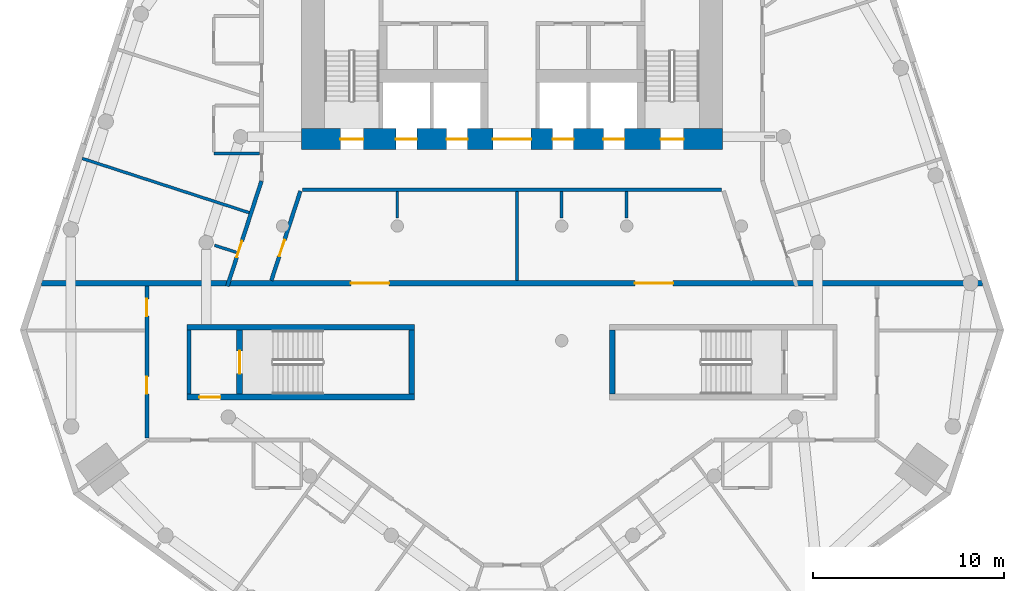
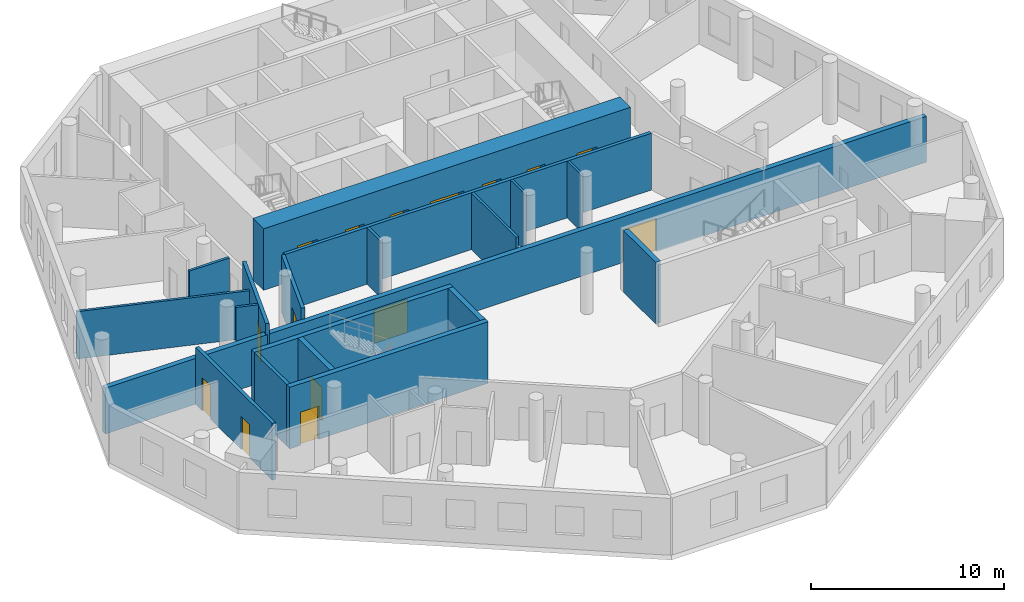
# One storey, part 3 of 9: 19 walls, 15 doors, 15 openings.
"""IFC4 building model written with IfcOpenShell, lengths in metres."""

from ifc_helpers import new_model, si_unit, direction, frame, frame_2d, origin, place, context, subcontext, project, spatial, rectangle, extrude, material, layer, layer_set, type_object, element, fill, save


model = new_model("IFC4")

# Units and contexts
model_context = context("Model", 3, precision=1e-05, world=origin(), true_north=direction((0.0, 1.0)))
body_context = subcontext(model_context, "Body", "Model", "MODEL_VIEW")
ifc_project = project(units=[si_unit("LENGTHUNIT", "METRE"), si_unit("AREAUNIT", "SQUARE_METRE"), si_unit("VOLUMEUNIT", "CUBIC_METRE"), si_unit("PLANEANGLEUNIT", "RADIAN"), si_unit("MASSUNIT", "GRAM", prefix="KILO")], contexts=[model_context])

# Site, building, storey
site_placement = place(None, origin())
site = spatial("IfcSite", under=ifc_project, at=site_placement, CompositionType="ELEMENT")
building_placement = place(site_placement, origin())
building = spatial("IfcBuilding", under=site, at=building_placement, Name="White Candle Pilgrim Tower", CompositionType="ELEMENT")
storey_placement = place(building_placement, frame((0.0, 0.0, 122.0)))
storey = spatial("IfcBuildingStorey", under=building, at=storey_placement, Name="L27", CompositionType="ELEMENT", Elevation=122.0)

# Wall
ifc_material_1 = material(Name="Concrete C60/75", Category="concrete")
ifc_layer_1 = layer(ifc_material_1, 0.199951171875)
ifc_layer_set_1 = layer_set([ifc_layer_1], Name="Core wall 200 mm Concrete C60/75")
wall_type_1 = type_object("IfcWallType", Name="Core wall 200 mm Concrete C60/75", PredefinedType="SHEAR", material=ifc_layer_set_1)
wall_1_placement = place(storey_placement, frame((53.10009765625, 58.199951171875, 0.0), z_axis=(0.0, 0.0, 1.0), x_axis=(0.0, 1.0, 0.0)))
element("IfcWall", 1, at=wall_1_placement, inside=storey, type_object=wall_type_1, Name="WL-L27-C03", PredefinedType="SHEAR", context=body_context, shape_type="SweptSolid", body=[
    extrude(rectangle(XDim=3.35009765625, YDim=0.199951171875, at=frame_2d((1.675048828125, 0.0))), origin(), (0.0, 0.0, 1.0), 3.89990234375),
])

# Wall, opening, door
ifc_material_2 = material(Name="Gypsum board on steel studs", Category="steel")
ifc_layer_2 = layer(ifc_material_2, 0.199951171875)
ifc_layer_set_2 = layer_set([ifc_layer_2], Name="Corridor wall 200 mm EI 45")
wall_type_2 = type_object("IfcWallType", Name="Corridor wall 200 mm EI 45", PredefinedType="PARTITIONING", material=ifc_layer_set_2)
wall_2_placement = place(storey_placement, frame((55.106689453125, 63.85009765625, 0.0), z_axis=(0.0, 0.0, 1.0), x_axis=(0.309017390004, 0.951056387747, 0.0)))
wall_2 = element("IfcWall", 2, at=wall_2_placement, inside=storey, type_object=wall_type_2, Name="WL-L27-P002", PredefinedType="PARTITIONING", context=body_context, shape_type="SweptSolid", body=[
    extrude(rectangle(XDim=5.787109375, YDim=0.199951171875, at=frame_2d((2.8935546875, 0.0))), origin(), (0.0, 0.0, 1.0), 3.60009765625),
])
opening_1_placement = place(wall_2_placement, frame((1.59619140625, 0.0, 0.0)))
opening_1 = element("IfcOpeningElement", 3, at=opening_1_placement, cuts=wall_2, Name="Opening T08-119", PredefinedType="OPENING", context=body_context, shape_type="SweptSolid", body=[
    extrude(rectangle(XDim=0.89990234375, YDim=2.10009765625, at=frame_2d((0.449951171875, 1.050048828125))), frame((0.0, 0.10986328125, 0.0), z_axis=(0.0, -1.0, 0.0), x_axis=(1.0, 0.0, 0.0)), (0.0, 0.0, 1.0), 0.219970703125),
])
ifc_material_3 = material(Name="Steel door leaf", Category="steel")
door_type_1 = type_object("IfcDoorType", Name="Fire door 900 x 2100 EI 30", OperationType="NOTDEFINED", PredefinedType="DOOR", material=ifc_material_3)
door_1_placement = place(opening_1_placement, origin())
door_1 = element("IfcDoor", 4, at=door_1_placement, inside=storey, type_object=door_type_1, Name="Door T08-119", OperationType="SINGLE_SWING_LEFT", OverallHeight=2.10009765625, OverallWidth=0.89990234375, PredefinedType="DOOR", context=body_context, shape_type="SweptSolid", body=[
    extrude(rectangle(XDim=0.89990234375, YDim=2.10009765625, at=frame_2d((0.449951171875, 1.050048828125))), frame((0.0, 0.02490234375, 0.0), z_axis=(0.0, -1.0, 0.0), x_axis=(1.0, 0.0, 0.0)), (0.0, 0.0, 1.0), 0.050048828125),
])
fill(opening_1, door_1)

# Wall, openings, doors
wall_3_placement = place(storey_placement, frame((50.89990234375, 55.89990234375, 0.0), z_axis=(0.0, 0.0, 1.0), x_axis=(0.0, 1.0, 0.0)))
wall_3 = element("IfcWall", 5, at=wall_3_placement, inside=storey, type_object=wall_type_2, Name="WL-L27-P012", PredefinedType="PARTITIONING", context=body_context, shape_type="SweptSolid", body=[
    extrude(rectangle(XDim=7.9501953125, YDim=0.199951171875, at=frame_2d((3.97509765625, 0.0))), origin(), (0.0, 0.0, 1.0), 3.60009765625),
])
opening_2_placement = place(wall_3_placement, frame((2.321533203125, 0.0, 0.0)))
opening_2 = element("IfcOpeningElement", 6, at=opening_2_placement, cuts=wall_3, Name="Opening T08-103", PredefinedType="OPENING", context=body_context, shape_type="SweptSolid", body=[
    extrude(rectangle(XDim=0.89990234375, YDim=2.10009765625, at=frame_2d((0.449951171875, 1.050048828125))), frame((0.0, 0.10986328125, 0.0), z_axis=(0.0, -1.0, 0.0), x_axis=(1.0, 0.0, 0.0)), (0.0, 0.0, 1.0), 0.219970703125),
])
opening_3_placement = place(wall_3_placement, frame((6.384033203125, 0.0, 0.0)))
opening_3 = element("IfcOpeningElement", 7, at=opening_3_placement, cuts=wall_3, Name="Opening T08-118", PredefinedType="OPENING", context=body_context, shape_type="SweptSolid", body=[
    extrude(rectangle(XDim=0.89990234375, YDim=2.10009765625, at=frame_2d((0.449951171875, 1.050048828125))), frame((0.0, 0.10986328125, 0.0), z_axis=(0.0, -1.0, 0.0), x_axis=(1.0, 0.0, 0.0)), (0.0, 0.0, 1.0), 0.219970703125),
])
door_2_placement = place(opening_2_placement, origin())
door_2 = element("IfcDoor", 8, at=door_2_placement, inside=storey, type_object=door_type_1, Name="Door T08-103", OperationType="SINGLE_SWING_LEFT", OverallHeight=2.10009765625, OverallWidth=0.89990234375, PredefinedType="DOOR", context=body_context, shape_type="SweptSolid", body=[
    extrude(rectangle(XDim=0.89990234375, YDim=2.10009765625, at=frame_2d((0.449951171875, 1.050048828125))), frame((0.0, 0.02490234375, 0.0), z_axis=(0.0, -1.0, 0.0), x_axis=(1.0, 0.0, 0.0)), (0.0, 0.0, 1.0), 0.050048828125),
])
fill(opening_2, door_2)
door_3_placement = place(opening_3_placement, origin())
door_3 = element("IfcDoor", 9, at=door_3_placement, inside=storey, type_object=door_type_1, Name="Door T08-118", OperationType="SINGLE_SWING_RIGHT", OverallHeight=2.10009765625, OverallWidth=0.89990234375, PredefinedType="DOOR", context=body_context, shape_type="SweptSolid", body=[
    extrude(rectangle(XDim=0.89990234375, YDim=2.10009765625, at=frame_2d((0.449951171875, 1.050048828125))), frame((0.0, 0.02490234375, 0.0), z_axis=(0.0, -1.0, 0.0), x_axis=(1.0, 0.0, 0.0)), (0.0, 0.0, 1.0), 0.050048828125),
])
fill(opening_3, door_3)

# Wall
wall_4_placement = place(storey_placement, frame((80.9716796875, 68.89990234375, 0.0), z_axis=(0.0, 0.0, 1.0), x_axis=(-1.0, 0.0, 0.0)))
element("IfcWall", 10, at=wall_4_placement, inside=storey, type_object=wall_type_2, Name="WL-L27-P013", PredefinedType="PARTITIONING", context=body_context, shape_type="SweptSolid", body=[
    extrude(rectangle(XDim=21.943359375, YDim=0.199951171875, at=frame_2d((10.9716796875, 0.0))), origin(), (0.0, 0.0, 1.0), 3.60009765625),
])

# Wall, opening, door
wall_5_placement = place(storey_placement, frame((58.93310546875, 68.830810546875, 0.0), z_axis=(0.0, 0.0, 1.0), x_axis=(-0.308986244793, -0.95106650689, 0.0)))
wall_5 = element("IfcWall", 11, at=wall_5_placement, inside=storey, type_object=wall_type_2, Name="WL-L27-P014", PredefinedType="PARTITIONING", context=body_context, shape_type="SweptSolid", body=[
    extrude(rectangle(XDim=4.921630859375, YDim=0.199951171875, at=frame_2d((2.4609375, 0.0))), origin(), (0.0, 0.0, 1.0), 3.60009765625),
])
opening_4_placement = place(wall_5_placement, frame((2.688720703125, 0.0, 0.0)))
opening_4 = element("IfcOpeningElement", 12, at=opening_4_placement, cuts=wall_5, Name="Opening T08-130", PredefinedType="OPENING", context=body_context, shape_type="SweptSolid", body=[
    extrude(rectangle(XDim=0.89990234375, YDim=2.10009765625, at=frame_2d((0.449951171875, 1.050048828125))), frame((0.0, 0.10986328125, 0.0), z_axis=(0.0, -1.0, 0.0), x_axis=(1.0, 0.0, 0.0)), (0.0, 0.0, 1.0), 0.219970703125),
])
door_4_placement = place(opening_4_placement, origin())
door_4 = element("IfcDoor", 13, at=door_4_placement, inside=storey, type_object=door_type_1, Name="Door T08-130", OperationType="SINGLE_SWING_RIGHT", OverallHeight=2.10009765625, OverallWidth=0.89990234375, PredefinedType="DOOR", context=body_context, shape_type="SweptSolid", body=[
    extrude(rectangle(XDim=0.89990234375, YDim=2.10009765625, at=frame_2d((0.449951171875, 1.050048828125))), frame((0.0, 0.02490234375, 0.0), z_axis=(0.0, -1.0, 0.0), x_axis=(1.0, 0.0, 0.0)), (0.0, 0.0, 1.0), 0.050048828125),
])
fill(opening_4, door_4)

# Wall, openings, doors
ifc_material_4 = material(Name="Aerated concrete block", Category="concrete")
ifc_layer_3 = layer(ifc_material_4, 0.300048828125)
ifc_layer_set_3 = layer_set([ifc_layer_3], Name="Fire wall 300 mm REI 240")
wall_type_3 = type_object("IfcWallType", Name="Fire wall 300 mm REI 240", PredefinedType="PARTITIONING", material=ifc_layer_set_3)
wall_6_placement = place(storey_placement, frame((45.39794921875, 64.0, 0.0), z_axis=(0.0, 0.0, 1.0), x_axis=(1.0, 0.0, 0.0)))
wall_6 = element("IfcWall", 14, at=wall_6_placement, inside=storey, type_object=wall_type_3, Name="WL-L27-P001", PredefinedType="PARTITIONING", context=body_context, shape_type="SweptSolid", body=[
    extrude(rectangle(XDim=49.2041015625, YDim=0.300048828125, at=frame_2d((24.60205078125, 0.0))), origin(), (0.0, 0.0, 1.0), 2.89990234375),
])
opening_5_placement = place(wall_6_placement, frame((16.1796875, 0.0, 0.0)))
opening_5 = element("IfcOpeningElement", 15, at=opening_5_placement, cuts=wall_6, Name="Opening T08-116", PredefinedType="OPENING", context=body_context, shape_type="SweptSolid", body=[
    extrude(rectangle(XDim=2.0, YDim=2.10009765625, at=frame_2d((1.0, 1.050048828125))), frame((0.0, 0.159912109375, 0.0), z_axis=(0.0, -1.0, 0.0), x_axis=(1.0, 0.0, 0.0)), (0.0, 0.0, 1.0), 0.320068359375),
])
opening_6_placement = place(wall_6_placement, frame((31.0244140625, 0.0, 0.0)))
opening_6 = element("IfcOpeningElement", 16, at=opening_6_placement, cuts=wall_6, Name="Opening T08-117", PredefinedType="OPENING", context=body_context, shape_type="SweptSolid", body=[
    extrude(rectangle(XDim=2.0, YDim=2.10009765625, at=frame_2d((1.0, 1.050048828125))), frame((0.0, 0.159912109375, 0.0), z_axis=(0.0, -1.0, 0.0), x_axis=(1.0, 0.0, 0.0)), (0.0, 0.0, 1.0), 0.320068359375),
])
door_type_2 = type_object("IfcDoorType", Name="Fire door 2000 x 2100 EI 60", OperationType="NOTDEFINED", PredefinedType="DOOR", material=ifc_material_3)
door_5_placement = place(opening_5_placement, origin())
door_5 = element("IfcDoor", 17, at=door_5_placement, inside=storey, type_object=door_type_2, Name="Door T08-116", OperationType="DOUBLE_DOOR_SINGLE_SWING", OverallHeight=2.10009765625, OverallWidth=2.0, PredefinedType="DOOR", context=body_context, shape_type="SweptSolid", body=[
    extrude(rectangle(XDim=2.0, YDim=2.10009765625, at=frame_2d((1.0, 1.050048828125))), frame((0.0, 0.02490234375, 0.0), z_axis=(0.0, -1.0, 0.0), x_axis=(1.0, 0.0, 0.0)), (0.0, 0.0, 1.0), 0.050048828125),
])
fill(opening_5, door_5)
door_6_placement = place(opening_6_placement, origin())
door_6 = element("IfcDoor", 18, at=door_6_placement, inside=storey, type_object=door_type_2, Name="Door T08-117", OperationType="DOUBLE_DOOR_SINGLE_SWING", OverallHeight=2.10009765625, OverallWidth=2.0, PredefinedType="DOOR", context=body_context, shape_type="SweptSolid", body=[
    extrude(rectangle(XDim=2.0, YDim=2.10009765625, at=frame_2d((1.0, 1.050048828125))), frame((0.0, 0.02490234375, 0.0), z_axis=(0.0, -1.0, 0.0), x_axis=(1.0, 0.0, 0.0)), (0.0, 0.0, 1.0), 0.050048828125),
])
fill(opening_6, door_6)

# Walls
ifc_layer_4 = layer(ifc_material_2, 0.14990234375)
ifc_layer_set_4 = layer_set([ifc_layer_4], Name="Partition 150 mm EI 60")
wall_type_4 = type_object("IfcWallType", Name="Partition 150 mm EI 60", PredefinedType="PARTITIONING", material=ifc_layer_set_4)
wall_7_placement = place(storey_placement, frame((47.52099609375, 70.533935546875, 0.0), z_axis=(0.0, 0.0, 1.0), x_axis=(0.951052242872, -0.309030146309, 0.0)))
element("IfcWall", 19, at=wall_7_placement, inside=storey, type_object=wall_type_4, Name="WL-L27-P026", PredefinedType="PARTITIONING", context=body_context, shape_type="SweptSolid", body=[
    extrude(rectangle(XDim=9.18017578125, YDim=0.14990234375, at=frame_2d((4.590087890625, 0.0))), origin(), (0.0, 0.0, 1.0), 3.0),
])
wall_8_placement = place(storey_placement, frame((56.800048828125, 70.795166015625, 0.0), z_axis=(0.0, 0.0, 1.0), x_axis=(-1.0, 0.0, 0.0)))
element("IfcWall", 20, at=wall_8_placement, inside=storey, type_object=wall_type_4, Name="WL-L27-P030", PredefinedType="PARTITIONING", context=body_context, shape_type="SweptSolid", body=[
    extrude(rectangle(XDim=2.400146484375, YDim=0.14990234375, at=frame_2d((1.2001953125, 0.0))), origin(), (0.0, 0.0, 1.0), 3.0),
])
wall_9_placement = place(storey_placement, frame((70.255126953125, 64.14990234375, 0.0), z_axis=(0.0, 0.0, 1.0), x_axis=(0.0, 1.0, 0.0)))
element("IfcWall", 21, at=wall_9_placement, inside=storey, type_object=wall_type_4, Name="WL-L27-P049", PredefinedType="PARTITIONING", context=body_context, shape_type="SweptSolid", body=[
    extrude(rectangle(XDim=4.650146484375, YDim=0.14990234375, at=frame_2d((2.3251953125, 0.0))), origin(), (0.0, 0.0, 1.0), 3.60009765625),
])
wall_10_placement = place(storey_placement, frame((54.441162109375, 65.992919921875, 0.0), z_axis=(0.0, 0.0, 1.0), x_axis=(0.951046076661, -0.30904912242, 0.0)))
element("IfcWall", 22, at=wall_10_placement, inside=storey, type_object=wall_type_4, Name="WL-L27-P057", PredefinedType="PARTITIONING", context=body_context, shape_type="SweptSolid", body=[
    extrude(rectangle(XDim=1.1953125, YDim=0.14990234375, at=frame_2d((0.59765625, 0.0))), origin(), (0.0, 0.0, 1.0), 3.60009765625),
])
for number, where, z_axis, x_axis, name in (
    (23, (63.997802734375, 67.4150390625, 0.0), (0.0, 0.0, 1.0), (0.0, 1.0, 0.0), "WL-L27-P058"),
    (24, (72.59765625, 67.4150390625, 0.0), (0.0, 0.0, 1.0), (0.0, 1.0, 0.0), "WL-L27-P059"),
    (25, (75.997802734375, 67.4150390625, 0.0), (0.0, 0.0, 1.0), (0.0, 1.0, 0.0), "WL-L27-P060"),
):
    element("IfcWall", number, at=place(storey_placement, frame(where, z_axis=z_axis, x_axis=x_axis)), inside=storey, type_object=wall_type_4, Name=name, PredefinedType="PARTITIONING", context=body_context, shape_type="SweptSolid", body=[
        extrude(rectangle(XDim=1.385009765625, YDim=0.14990234375, at=frame_2d((0.6923828125, 0.0))), origin(), (0.0, 0.0, 1.0), 3.60009765625),
    ])

# Wall, openings, doors
ifc_layer_5 = layer(ifc_material_1, 1.10009765625)
ifc_layer_set_5 = layer_set([ifc_layer_5], Name="Stair shaft wall 1100 mm Concrete C60/75")
wall_type_5 = type_object("IfcWallType", Name="Stair shaft wall 1100 mm Concrete C60/75", PredefinedType="SHEAR", material=ifc_layer_set_5)
wall_11_placement = place(storey_placement, frame((59.0, 71.550048828125, 0.0), z_axis=(0.0, 0.0, 1.0), x_axis=(1.0, 0.0, 0.0)))
wall_11 = element("IfcWall", 26, at=wall_11_placement, inside=storey, type_object=wall_type_5, Name="WL-L27-C11", PredefinedType="SHEAR", context=body_context, shape_type="SweptSolid", body=[
    extrude(rectangle(XDim=22.0, YDim=1.10009765625, at=frame_2d((11.0, 0.0))), origin(), (0.0, 0.0, 1.0), 3.89990234375),
])
opening_7_placement = place(wall_11_placement, frame((2.02490234375, 0.0, 0.0)))
opening_7 = element("IfcOpeningElement", 27, at=opening_7_placement, cuts=wall_11, Name="Opening T08-001", PredefinedType="OPENING", context=body_context, shape_type="SweptSolid", body=[
    extrude(rectangle(XDim=1.199951171875, YDim=2.10009765625, at=frame_2d((0.60009765625, 1.050048828125))), frame((0.0, 0.56005859375, 0.0), z_axis=(0.0, -1.0, 0.0), x_axis=(1.0, 0.0, 0.0)), (0.0, 0.0, 1.0), 1.1201171875),
])
opening_8_placement = place(wall_11_placement, frame((18.77490234375, 0.0, 0.0)))
opening_8 = element("IfcOpeningElement", 28, at=opening_8_placement, cuts=wall_11, Name="Opening T08-002", PredefinedType="OPENING", context=body_context, shape_type="SweptSolid", body=[
    extrude(rectangle(XDim=1.199951171875, YDim=2.10009765625, at=frame_2d((0.60009765625, 1.050048828125))), frame((0.0, 0.56005859375, 0.0), z_axis=(0.0, -1.0, 0.0), x_axis=(1.0, 0.0, 0.0)), (0.0, 0.0, 1.0), 1.1201171875),
])
opening_9_placement = place(wall_11_placement, frame((10.0, 0.0, 0.0)))
opening_9 = element("IfcOpeningElement", 29, at=opening_9_placement, cuts=wall_11, Name="Opening T08-004", PredefinedType="OPENING", context=body_context, shape_type="SweptSolid", body=[
    extrude(rectangle(XDim=2.0, YDim=2.10009765625, at=frame_2d((1.0, 1.050048828125))), frame((0.0, 0.56005859375, 0.0), z_axis=(0.0, -1.0, 0.0), x_axis=(1.0, 0.0, 0.0)), (0.0, 0.0, 1.0), 1.1201171875),
])
opening_10_placement = place(wall_11_placement, frame((4.925048828125, 0.0, 0.0)))
opening_10 = element("IfcOpeningElement", 30, at=opening_10_placement, cuts=wall_11, Name="Opening T08-014", PredefinedType="OPENING", context=body_context, shape_type="SweptSolid", body=[
    extrude(rectangle(XDim=1.10009765625, YDim=2.10009765625, at=frame_2d((0.550048828125, 1.050048828125))), frame((0.0, 0.56005859375, 0.0), z_axis=(0.0, -1.0, 0.0), x_axis=(1.0, 0.0, 0.0)), (0.0, 0.0, 1.0), 1.1201171875),
])
opening_11_placement = place(wall_11_placement, frame((7.574951171875, 0.0, 0.0)))
opening_11 = element("IfcOpeningElement", 31, at=opening_11_placement, cuts=wall_11, Name="Opening T08-015", PredefinedType="OPENING", context=body_context, shape_type="SweptSolid", body=[
    extrude(rectangle(XDim=1.10009765625, YDim=2.10009765625, at=frame_2d((0.550048828125, 1.050048828125))), frame((0.0, 0.56005859375, 0.0), z_axis=(0.0, -1.0, 0.0), x_axis=(1.0, 0.0, 0.0)), (0.0, 0.0, 1.0), 1.1201171875),
])
opening_12_placement = place(wall_11_placement, frame((13.125, 0.0, 0.0)))
opening_12 = element("IfcOpeningElement", 32, at=opening_12_placement, cuts=wall_11, Name="Opening T08-016", PredefinedType="OPENING", context=body_context, shape_type="SweptSolid", body=[
    extrude(rectangle(XDim=1.10009765625, YDim=2.10009765625, at=frame_2d((0.550048828125, 1.050048828125))), frame((0.0, 0.56005859375, 0.0), z_axis=(0.0, -1.0, 0.0), x_axis=(1.0, 0.0, 0.0)), (0.0, 0.0, 1.0), 1.1201171875),
])
opening_13_placement = place(wall_11_placement, frame((15.77490234375, 0.0, 0.0)))
opening_13 = element("IfcOpeningElement", 33, at=opening_13_placement, cuts=wall_11, Name="Opening T08-017", PredefinedType="OPENING", context=body_context, shape_type="SweptSolid", body=[
    extrude(rectangle(XDim=1.10009765625, YDim=2.10009765625, at=frame_2d((0.550048828125, 1.050048828125))), frame((0.0, 0.56005859375, 0.0), z_axis=(0.0, -1.0, 0.0), x_axis=(1.0, 0.0, 0.0)), (0.0, 0.0, 1.0), 1.1201171875),
])
door_type_3 = type_object("IfcDoorType", Name="Fire door 1200 x 2100 EI 60", OperationType="NOTDEFINED", PredefinedType="DOOR", material=ifc_material_3)
door_7_placement = place(opening_7_placement, frame((1.199951171875, 0.0, 0.0), z_axis=(0.0, 0.0, 1.0), x_axis=(-1.0, 0.0, 0.0)))
door_7 = element("IfcDoor", 34, at=door_7_placement, inside=storey, type_object=door_type_3, Name="Door T08-001", OperationType="SINGLE_SWING_RIGHT", OverallHeight=2.10009765625, OverallWidth=1.199951171875, PredefinedType="DOOR", context=body_context, shape_type="SweptSolid", body=[
    extrude(rectangle(XDim=1.199951171875, YDim=2.10009765625, at=frame_2d((0.60009765625, 1.050048828125))), frame((0.0, 0.02490234375, 0.0), z_axis=(0.0, -1.0, 0.0), x_axis=(1.0, 0.0, 0.0)), (0.0, 0.0, 1.0), 0.050048828125),
])
fill(opening_7, door_7)
door_8_placement = place(opening_8_placement, frame((1.199951171875, 0.0, 0.0), z_axis=(0.0, 0.0, 1.0), x_axis=(-1.0, 0.0, 0.0)))
door_8 = element("IfcDoor", 35, at=door_8_placement, inside=storey, type_object=door_type_3, Name="Door T08-002", OperationType="SINGLE_SWING_LEFT", OverallHeight=2.10009765625, OverallWidth=1.199951171875, PredefinedType="DOOR", context=body_context, shape_type="SweptSolid", body=[
    extrude(rectangle(XDim=1.199951171875, YDim=2.10009765625, at=frame_2d((0.60009765625, 1.050048828125))), frame((0.0, 0.02490234375, 0.0), z_axis=(0.0, -1.0, 0.0), x_axis=(1.0, 0.0, 0.0)), (0.0, 0.0, 1.0), 0.050048828125),
])
fill(opening_8, door_8)
door_9_placement = place(opening_9_placement, frame((2.0, 0.0, 0.0), z_axis=(0.0, 0.0, 1.0), x_axis=(-1.0, 0.0, 0.0)))
door_9 = element("IfcDoor", 36, at=door_9_placement, inside=storey, type_object=door_type_2, Name="Door T08-004", OperationType="DOUBLE_DOOR_SINGLE_SWING", OverallHeight=2.10009765625, OverallWidth=2.0, PredefinedType="DOOR", context=body_context, shape_type="SweptSolid", body=[
    extrude(rectangle(XDim=2.0, YDim=2.10009765625, at=frame_2d((1.0, 1.050048828125))), frame((0.0, 0.02490234375, 0.0), z_axis=(0.0, -1.0, 0.0), x_axis=(1.0, 0.0, 0.0)), (0.0, 0.0, 1.0), 0.050048828125),
])
fill(opening_9, door_9)
ifc_material_5 = material(Name="Stainless steel", Category="steel")
door_type_4 = type_object("IfcDoorType", Name="Lift landing door 1100 x 2100 E 60", OperationType="DOUBLE_DOOR_SLIDING", PredefinedType="DOOR", material=ifc_material_5)
door_10_placement = place(opening_10_placement, origin())
door_10 = element("IfcDoor", 37, at=door_10_placement, inside=storey, type_object=door_type_4, Name="Door T08-014", OperationType="DOUBLE_DOOR_SLIDING", OverallHeight=2.10009765625, OverallWidth=1.10009765625, PredefinedType="DOOR", context=body_context, shape_type="SweptSolid", body=[
    extrude(rectangle(XDim=1.10009765625, YDim=2.10009765625, at=frame_2d((0.550048828125, 1.050048828125))), frame((0.0, 0.02490234375, 0.0), z_axis=(0.0, -1.0, 0.0), x_axis=(1.0, 0.0, 0.0)), (0.0, 0.0, 1.0), 0.050048828125),
])
fill(opening_10, door_10)
door_11_placement = place(opening_11_placement, origin())
door_11 = element("IfcDoor", 38, at=door_11_placement, inside=storey, type_object=door_type_4, Name="Door T08-015", OperationType="DOUBLE_DOOR_SLIDING", OverallHeight=2.10009765625, OverallWidth=1.10009765625, PredefinedType="DOOR", context=body_context, shape_type="SweptSolid", body=[
    extrude(rectangle(XDim=1.10009765625, YDim=2.10009765625, at=frame_2d((0.550048828125, 1.050048828125))), frame((0.0, 0.02490234375, 0.0), z_axis=(0.0, -1.0, 0.0), x_axis=(1.0, 0.0, 0.0)), (0.0, 0.0, 1.0), 0.050048828125),
])
fill(opening_11, door_11)
door_12_placement = place(opening_12_placement, origin())
door_12 = element("IfcDoor", 39, at=door_12_placement, inside=storey, type_object=door_type_4, Name="Door T08-016", OperationType="DOUBLE_DOOR_SLIDING", OverallHeight=2.10009765625, OverallWidth=1.10009765625, PredefinedType="DOOR", context=body_context, shape_type="SweptSolid", body=[
    extrude(rectangle(XDim=1.10009765625, YDim=2.10009765625, at=frame_2d((0.550048828125, 1.050048828125))), frame((0.0, 0.02490234375, 0.0), z_axis=(0.0, -1.0, 0.0), x_axis=(1.0, 0.0, 0.0)), (0.0, 0.0, 1.0), 0.050048828125),
])
fill(opening_12, door_12)
door_13_placement = place(opening_13_placement, origin())
door_13 = element("IfcDoor", 40, at=door_13_placement, inside=storey, type_object=door_type_4, Name="Door T08-017", OperationType="DOUBLE_DOOR_SLIDING", OverallHeight=2.10009765625, OverallWidth=1.10009765625, PredefinedType="DOOR", context=body_context, shape_type="SweptSolid", body=[
    extrude(rectangle(XDim=1.10009765625, YDim=2.10009765625, at=frame_2d((0.550048828125, 1.050048828125))), frame((0.0, 0.02490234375, 0.0), z_axis=(0.0, -1.0, 0.0), x_axis=(1.0, 0.0, 0.0)), (0.0, 0.0, 1.0), 0.050048828125),
])
fill(opening_13, door_13)

# Wall, opening, door
ifc_layer_6 = layer(ifc_material_1, 0.300048828125)
ifc_layer_set_6 = layer_set([ifc_layer_6], Name="Stair shaft wall 300 mm Concrete C60/75")
wall_type_6 = type_object("IfcWallType", Name="Stair shaft wall 300 mm Concrete C60/75", PredefinedType="SHEAR", material=ifc_layer_set_6)
wall_12_placement = place(storey_placement, frame((53.0, 58.050048828125, 0.0), z_axis=(0.0, 0.0, 1.0), x_axis=(1.0, 0.0, 0.0)))
wall_12 = element("IfcWall", 41, at=wall_12_placement, inside=storey, type_object=wall_type_6, Name="WL-L27-C01", PredefinedType="SHEAR", context=body_context, shape_type="SweptSolid", body=[
    extrude(rectangle(XDim=11.89990234375, YDim=0.300048828125, at=frame_2d((5.949951171875, 0.0))), origin(), (0.0, 0.0, 1.0), 3.89990234375),
])
opening_14_placement = place(wall_12_placement, frame((0.64990234375, 0.0, 0.0)))
opening_14 = element("IfcOpeningElement", 42, at=opening_14_placement, cuts=wall_12, Name="Opening T08-007", PredefinedType="OPENING", context=body_context, shape_type="SweptSolid", body=[
    extrude(rectangle(XDim=1.10009765625, YDim=2.10009765625, at=frame_2d((0.550048828125, 1.050048828125))), frame((0.0, 0.159912109375, 0.0), z_axis=(0.0, -1.0, 0.0), x_axis=(1.0, 0.0, 0.0)), (0.0, 0.0, 1.0), 0.320068359375),
])
door_type_5 = type_object("IfcDoorType", Name="Fire door 1100 x 2100 EI 60", OperationType="NOTDEFINED", PredefinedType="DOOR", material=ifc_material_3)
door_14_placement = place(opening_14_placement, origin())
door_14 = element("IfcDoor", 43, at=door_14_placement, inside=storey, type_object=door_type_5, Name="Door T08-007", OperationType="SINGLE_SWING_LEFT", OverallHeight=2.10009765625, OverallWidth=1.10009765625, PredefinedType="DOOR", context=body_context, shape_type="SweptSolid", body=[
    extrude(rectangle(XDim=1.10009765625, YDim=2.10009765625, at=frame_2d((0.550048828125, 1.050048828125))), frame((0.0, 0.02490234375, 0.0), z_axis=(0.0, -1.0, 0.0), x_axis=(1.0, 0.0, 0.0)), (0.0, 0.0, 1.0), 0.050048828125),
])
fill(opening_14, door_14)

wall_13_placement = place(storey_placement, frame((55.75, 58.199951171875, 0.0), z_axis=(0.0, 0.0, 1.0), x_axis=(0.0, 1.0, 0.0)))
wall_13 = element("IfcWall", 44, at=wall_13_placement, inside=storey, type_object=wall_type_6, Name="WL-L27-C04", PredefinedType="SHEAR", context=body_context, shape_type="SweptSolid", body=[
    extrude(rectangle(XDim=3.35009765625, YDim=0.300048828125, at=frame_2d((1.675048828125, 0.0))), origin(), (0.0, 0.0, 1.0), 3.89990234375),
])
opening_15_placement = place(wall_13_placement, frame((1.074951171875, 0.0, 0.0)))
opening_15 = element("IfcOpeningElement", 45, at=opening_15_placement, cuts=wall_13, Name="Opening T08-008", PredefinedType="OPENING", context=body_context, shape_type="SweptSolid", body=[
    extrude(rectangle(XDim=1.199951171875, YDim=2.10009765625, at=frame_2d((0.60009765625, 1.050048828125))), frame((0.0, 0.159912109375, 0.0), z_axis=(0.0, -1.0, 0.0), x_axis=(1.0, 0.0, 0.0)), (0.0, 0.0, 1.0), 0.320068359375),
])
door_15_placement = place(opening_15_placement, frame((1.199951171875, 0.0, 0.0), z_axis=(0.0, 0.0, 1.0), x_axis=(-1.0, 0.0, 0.0)))
door_15 = element("IfcDoor", 46, at=door_15_placement, inside=storey, type_object=door_type_3, Name="Door T08-008", OperationType="SINGLE_SWING_LEFT", OverallHeight=2.10009765625, OverallWidth=1.199951171875, PredefinedType="DOOR", context=body_context, shape_type="SweptSolid", body=[
    extrude(rectangle(XDim=1.199951171875, YDim=2.10009765625, at=frame_2d((0.60009765625, 1.050048828125))), frame((0.0, 0.02490234375, 0.0), z_axis=(0.0, -1.0, 0.0), x_axis=(1.0, 0.0, 0.0)), (0.0, 0.0, 1.0), 0.050048828125),
])
fill(opening_15, door_15)

# Walls
for number, where, z_axis, x_axis, name in (
    (47, (64.75, 58.199951171875, 0.0), (0.0, 0.0, 1.0), (0.0, 1.0, 0.0), "WL-L27-C05"),
    (48, (75.25, 58.199951171875, 0.0), (0.0, 0.0, 1.0), (0.0, 1.0, 0.0), "WL-L27-C06"),
):
    element("IfcWall", number, at=place(storey_placement, frame(where, z_axis=z_axis, x_axis=x_axis)), inside=storey, type_object=wall_type_6, Name=name, PredefinedType="SHEAR", context=body_context, shape_type="SweptSolid", body=[
        extrude(rectangle(XDim=3.35009765625, YDim=0.300048828125, at=frame_2d((1.675048828125, 0.0))), origin(), (0.0, 0.0, 1.0), 3.89990234375),
    ])
wall_14_placement = place(storey_placement, frame((53.0, 61.699951171875, 0.0), z_axis=(0.0, 0.0, 1.0), x_axis=(1.0, 0.0, 0.0)))
element("IfcWall", 49, at=wall_14_placement, inside=storey, type_object=wall_type_6, Name="WL-L27-C09", PredefinedType="SHEAR", context=body_context, shape_type="SweptSolid", body=[
    extrude(rectangle(XDim=11.89990234375, YDim=0.300048828125, at=frame_2d((5.949951171875, 0.0))), origin(), (0.0, 0.0, 1.0), 3.89990234375),
])

save(model, "model.ifc")
